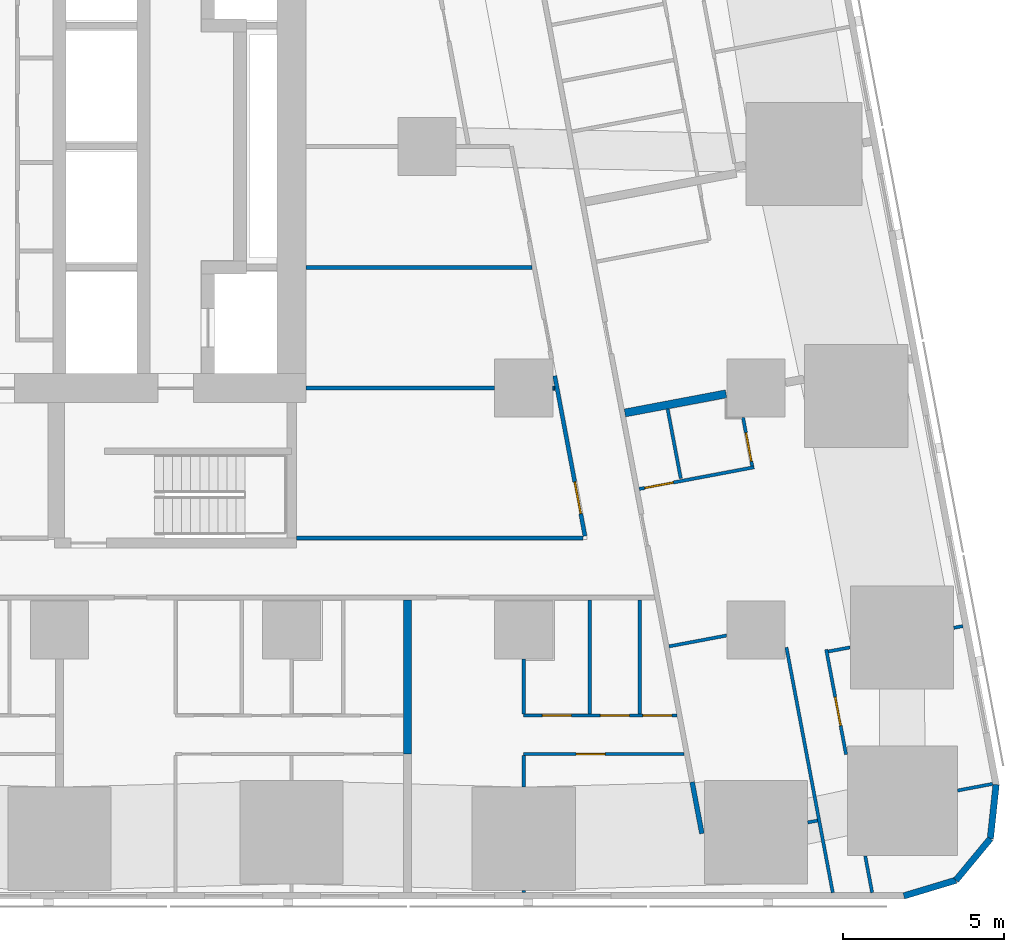
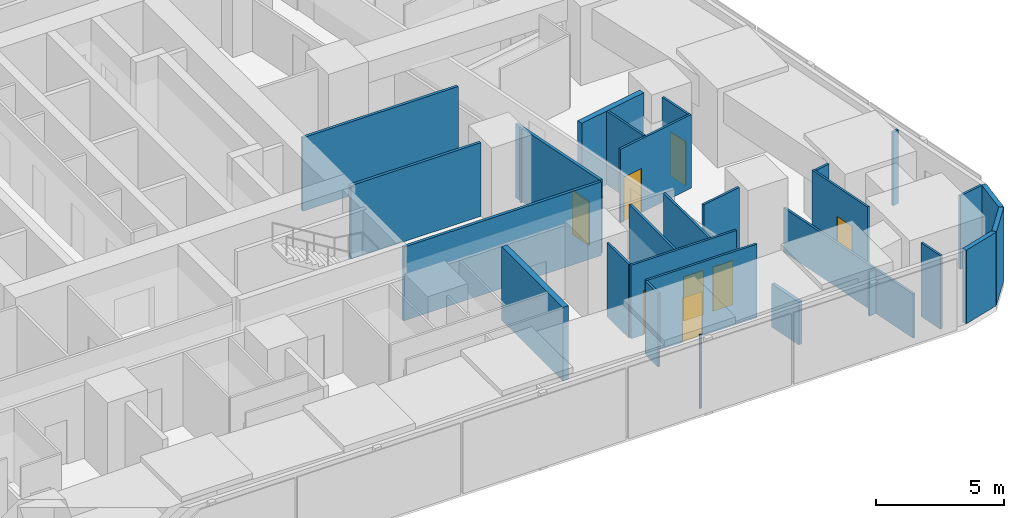
# One storey, part 8 of 17: 29 walls, 8 doors, 8 openings.
"""IFC4 building model written with IfcOpenShell, lengths in metres."""

from ifc_helpers import new_model, si_unit, direction, frame, frame_2d, origin, place, context, subcontext, project, spatial, rectangle, extrude, material, layer, layer_set, type_object, element, fill, save


model = new_model("IFC4")

# Units and contexts
model_context = context("Model", 3, precision=1e-05, world=origin(), true_north=direction((0.0, 1.0)))
body_context = subcontext(model_context, "Body", "Model", "MODEL_VIEW")
ifc_project = project(units=[si_unit("LENGTHUNIT", "METRE"), si_unit("AREAUNIT", "SQUARE_METRE"), si_unit("VOLUMEUNIT", "CUBIC_METRE"), si_unit("PLANEANGLEUNIT", "RADIAN"), si_unit("MASSUNIT", "GRAM", prefix="KILO")], contexts=[model_context])

# Site, building, storey
site_placement = place(None, origin())
site = spatial("IfcSite", under=ifc_project, at=site_placement, CompositionType="ELEMENT")
building_placement = place(site_placement, origin())
building = spatial("IfcBuilding", under=site, at=building_placement, Name="Sheger Commons Tower", CompositionType="ELEMENT")
storey_placement = place(building_placement, frame((0.0, 0.0, 23.75)))
storey = spatial("IfcBuildingStorey", under=building, at=storey_placement, Name="L05", CompositionType="ELEMENT", Elevation=23.75)

# Walls
ifc_material_1 = material(Name="Hollow concrete block masonry, skimmed both sides", Category="masonry")
ifc_layer_1 = layer(ifc_material_1, 0.14990234375)
ifc_layer_set_1 = layer_set([ifc_layer_1], Name="CORRIDOR WALL 150")
wall_type_1 = type_object("IfcWallType", Name="CORRIDOR WALL 150", PredefinedType="SOLIDWALL", material=ifc_layer_set_1)
wall_1_placement = place(storey_placement, frame((41.22412109375, 2.782958984375, 0.0), z_axis=(0.0, 0.0, 1.0), x_axis=(0.185566507215, -0.982631706897, 0.0)))
element("IfcWall", 1, at=wall_1_placement, inside=storey, type_object=wall_type_1, Name="Corridor wall L05", PredefinedType="SOLIDWALL", context=body_context, shape_type="SweptSolid", body=[
    extrude(rectangle(XDim=1.626220703125, YDim=0.14990234375, at=frame_2d((0.81298828125, 0.0))), origin(), (0.0, 0.0, 1.0), 2.050048828125),
])
ifc_material_2 = material(Name="Dense concrete block masonry, plastered both sides (separating wall between flats)", Category="masonry")
ifc_layer_2 = layer(ifc_material_2, 0.25)
ifc_layer_set_2 = layer_set([ifc_layer_2], Name="DEMISING WALL 250")
wall_type_2 = type_object("IfcWallType", Name="DEMISING WALL 250", PredefinedType="SOLIDWALL", material=ifc_layer_set_2)
wall_2_placement = place(storey_placement, frame((32.39990234375, 3.64990234375, 0.0), z_axis=(0.0, 0.0, 1.0), x_axis=(0.0, 1.0, 0.0)))
element("IfcWall", 2, at=wall_2_placement, inside=storey, type_object=wall_type_2, Name="Demising wall L05", PredefinedType="SOLIDWALL", context=body_context, shape_type="SweptSolid", body=[
    extrude(rectangle(XDim=4.775146484375, YDim=0.25, at=frame_2d((2.3876953125, 0.0))), origin(), (0.0, 0.0, 1.0), 3.5),
])
wall_3_placement = place(storey_placement, frame((42.27587890625, 14.824951171875, 0.0), z_axis=(0.0, 0.0, 1.0), x_axis=(-0.982607211054, -0.185696173318, 0.0)))
element("IfcWall", 3, at=wall_3_placement, inside=storey, type_object=wall_type_2, Name="Demising wall L05", PredefinedType="SOLIDWALL", context=body_context, shape_type="SweptSolid", body=[
    extrude(rectangle(XDim=3.193603515625, YDim=0.25, at=frame_2d((1.5966796875, 0.0))), origin(), (0.0, 0.0, 1.0), 3.5),
])
ifc_material_3 = material(Name="Rendered concrete block masonry, dark grey", Category="masonry")
ifc_layer_3 = layer(ifc_material_3, 0.199951171875)
ifc_layer_set_3 = layer_set([ifc_layer_3], Name="FACADE WALL 200")
wall_type_3 = type_object("IfcWallType", Name="FACADE WALL 200", PredefinedType="SOLIDWALL", material=ifc_layer_set_3)
wall_4_placement = place(storey_placement, frame((47.791015625, -0.75, 0.0), z_axis=(0.0, 0.0, 1.0), x_axis=(0.957455232626, 0.288581838509, 0.0)))
element("IfcWall", 4, at=wall_4_placement, inside=storey, type_object=wall_type_3, Name="Facade wall L05", PredefinedType="SOLIDWALL", context=body_context, shape_type="SweptSolid", body=[
    extrude(rectangle(XDim=1.687744140625, YDim=0.199951171875, at=frame_2d((0.84375, 0.0))), origin(), (0.0, 0.0, 1.0), 3.5),
])
wall_5_placement = place(storey_placement, frame((49.406982421875, -0.262939453125, 0.0), z_axis=(0.0, 0.0, 1.0), x_axis=(0.638042593423, 0.770001070764, 0.0)))
element("IfcWall", 5, at=wall_5_placement, inside=storey, type_object=wall_type_3, Name="Facade wall L05", PredefinedType="SOLIDWALL", context=body_context, shape_type="SweptSolid", body=[
    extrude(rectangle(XDim=1.672607421875, YDim=0.199951171875, at=frame_2d((0.83642578125, 0.0))), origin(), (0.0, 0.0, 1.0), 3.5),
])
wall_6_placement = place(storey_placement, frame((50.47412109375, 1.02490234375, 0.0), z_axis=(0.0, 0.0, 1.0), x_axis=(0.106047815515, 0.994361031429, 0.0)))
element("IfcWall", 6, at=wall_6_placement, inside=storey, type_object=wall_type_3, Name="Facade wall L05", PredefinedType="SOLIDWALL", context=body_context, shape_type="SweptSolid", body=[
    extrude(rectangle(XDim=1.6875, YDim=0.199951171875, at=frame_2d((0.84375, 0.0))), origin(), (0.0, 0.0, 1.0), 3.5),
])

# Wall, opening, door
ifc_material_4 = material(Name="Gypsum board on steel studs", Category="steel")
ifc_layer_4 = layer(ifc_material_4, 0.10009765625)
ifc_layer_set_4 = layer_set([ifc_layer_4], Name="PARTITION 100")
wall_type_4 = type_object("IfcWallType", Name="PARTITION 100", PredefinedType="PARTITIONING", material=ifc_layer_set_4)
wall_7_placement = place(storey_placement, frame((40.97509765625, 3.64990234375, 0.0), z_axis=(0.0, 0.0, 1.0), x_axis=(-1.0, 0.0, 0.0)))
wall_7 = element("IfcWall", 7, at=wall_7_placement, inside=storey, type_object=wall_type_4, Name="Partition L05", PredefinedType="PARTITIONING", context=body_context, shape_type="SweptSolid", body=[
    extrude(rectangle(XDim=4.97509765625, YDim=0.10009765625, at=frame_2d((2.487548828125, 0.0))), origin(), (0.0, 0.0, 1.0), 3.5),
])
opening_1_placement = place(wall_7_placement, frame((2.449951171875, 0.0, 0.0)))
opening_1 = element("IfcOpeningElement", 8, at=opening_1_placement, cuts=wall_7, Name="Opening D2", PredefinedType="OPENING", context=body_context, shape_type="SweptSolid", body=[
    extrude(rectangle(XDim=0.89990234375, YDim=2.10009765625, at=frame_2d((0.449951171875, 1.050048828125))), frame((0.0, 0.06005859375, 0.0), z_axis=(0.0, -1.0, 0.0), x_axis=(1.0, 0.0, 0.0)), (0.0, 0.0, 1.0), 0.1201171875),
])
ifc_material_5 = material(Name="Timber door set", Category="wood")
door_type_1 = type_object("IfcDoorType", Name="INTERNAL DOOR 900x2100", OperationType="NOTDEFINED", PredefinedType="DOOR", material=ifc_material_5)
door_1_placement = place(opening_1_placement, origin())
door_1 = element("IfcDoor", 9, at=door_1_placement, inside=storey, type_object=door_type_1, Name="Main bedroom door", OperationType="SINGLE_SWING_RIGHT", OverallHeight=2.10009765625, OverallWidth=0.89990234375, PredefinedType="DOOR", context=body_context, shape_type="SweptSolid", body=[
    extrude(rectangle(XDim=0.89990234375, YDim=2.10009765625, at=frame_2d((0.449951171875, 1.050048828125))), frame((0.0, 0.02490234375, 0.0), z_axis=(0.0, -1.0, 0.0), x_axis=(1.0, 0.0, 0.0)), (0.0, 0.0, 1.0), 0.050048828125),
])
fill(opening_1, door_1)

# Wall, openings, doors
wall_8_placement = place(storey_placement, frame((40.748046875, 4.85009765625, 0.0), z_axis=(0.0, 0.0, 1.0), x_axis=(-1.0, 0.0, 0.0)))
wall_8 = element("IfcWall", 10, at=wall_8_placement, inside=storey, type_object=wall_type_4, Name="Partition L05", PredefinedType="PARTITIONING", context=body_context, shape_type="SweptSolid", body=[
    extrude(rectangle(XDim=4.748046875, YDim=0.10009765625, at=frame_2d((2.3740234375, 0.0))), origin(), (0.0, 0.0, 1.0), 3.5),
])
opening_2_placement = place(wall_8_placement, frame((3.27294921875, 0.0, 0.0)))
opening_2 = element("IfcOpeningElement", 11, at=opening_2_placement, cuts=wall_8, Name="Opening D2", PredefinedType="OPENING", context=body_context, shape_type="SweptSolid", body=[
    extrude(rectangle(XDim=0.89990234375, YDim=2.10009765625, at=frame_2d((0.449951171875, 1.050048828125))), frame((0.0, 0.06005859375, 0.0), z_axis=(0.0, -1.0, 0.0), x_axis=(1.0, 0.0, 0.0)), (0.0, 0.0, 1.0), 0.1201171875),
])
opening_3_placement = place(wall_8_placement, frame((0.14990234375, 0.0, 0.0)))
opening_3 = element("IfcOpeningElement", 12, at=opening_3_placement, cuts=wall_8, Name="Opening D2", PredefinedType="OPENING", context=body_context, shape_type="SweptSolid", body=[
    extrude(rectangle(XDim=0.89990234375, YDim=2.10009765625, at=frame_2d((0.449951171875, 1.050048828125))), frame((0.0, 0.06005859375, 0.0), z_axis=(0.0, -1.0, 0.0), x_axis=(1.0, 0.0, 0.0)), (0.0, 0.0, 1.0), 0.1201171875),
])
opening_4_placement = place(wall_8_placement, frame((1.472900390625, 0.0, 0.0)))
opening_4 = element("IfcOpeningElement", 13, at=opening_4_placement, cuts=wall_8, Name="Opening D2", PredefinedType="OPENING", context=body_context, shape_type="SweptSolid", body=[
    extrude(rectangle(XDim=0.89990234375, YDim=2.10009765625, at=frame_2d((0.449951171875, 1.050048828125))), frame((0.0, 0.06005859375, 0.0), z_axis=(0.0, -1.0, 0.0), x_axis=(1.0, 0.0, 0.0)), (0.0, 0.0, 1.0), 0.1201171875),
])
door_2_placement = place(opening_2_placement, origin())
door_2 = element("IfcDoor", 14, at=door_2_placement, inside=storey, type_object=door_type_1, Name="Bathroom door", OperationType="SINGLE_SWING_LEFT", OverallHeight=2.10009765625, OverallWidth=0.89990234375, PredefinedType="DOOR", context=body_context, shape_type="SweptSolid", body=[
    extrude(rectangle(XDim=0.89990234375, YDim=2.10009765625, at=frame_2d((0.449951171875, 1.050048828125))), frame((0.0, 0.02490234375, 0.0), z_axis=(0.0, -1.0, 0.0), x_axis=(1.0, 0.0, 0.0)), (0.0, 0.0, 1.0), 0.050048828125),
])
fill(opening_2, door_2)
door_3_placement = place(opening_3_placement, origin())
door_3 = element("IfcDoor", 15, at=door_3_placement, inside=storey, type_object=door_type_1, Name="Laundry room door", OperationType="SINGLE_SWING_RIGHT", OverallHeight=2.10009765625, OverallWidth=0.89990234375, PredefinedType="DOOR", context=body_context, shape_type="SweptSolid", body=[
    extrude(rectangle(XDim=0.89990234375, YDim=2.10009765625, at=frame_2d((0.449951171875, 1.050048828125))), frame((0.0, 0.02490234375, 0.0), z_axis=(0.0, -1.0, 0.0), x_axis=(1.0, 0.0, 0.0)), (0.0, 0.0, 1.0), 0.050048828125),
])
fill(opening_3, door_3)
door_4_placement = place(opening_4_placement, origin())
door_4 = element("IfcDoor", 16, at=door_4_placement, inside=storey, type_object=door_type_1, Name="Store door", OperationType="SINGLE_SWING_RIGHT", OverallHeight=2.10009765625, OverallWidth=0.89990234375, PredefinedType="DOOR", context=body_context, shape_type="SweptSolid", body=[
    extrude(rectangle(XDim=0.89990234375, YDim=2.10009765625, at=frame_2d((0.449951171875, 1.050048828125))), frame((0.0, 0.02490234375, 0.0), z_axis=(0.0, -1.0, 0.0), x_axis=(1.0, 0.0, 0.0)), (0.0, 0.0, 1.0), 0.050048828125),
])
fill(opening_4, door_4)

# Walls
wall_9_placement = place(storey_placement, frame((36.0, -0.64990234375, 0.0), z_axis=(0.0, 0.0, 1.0), x_axis=(0.0, 1.0, 0.0)))
element("IfcWall", 17, at=wall_9_placement, inside=storey, type_object=wall_type_4, Name="Partition L05", PredefinedType="PARTITIONING", context=body_context, shape_type="SweptSolid", body=[
    extrude(rectangle(XDim=0.073974609375, YDim=0.10009765625, at=frame_2d((0.037109375, 0.0))), origin(), (0.0, 0.0, 1.0), 3.5),
])
wall_10_placement = place(storey_placement, frame((36.0, 2.6259765625, 0.0), z_axis=(0.0, 0.0, 1.0), x_axis=(0.0, 1.0, 0.0)))
element("IfcWall", 18, at=wall_10_placement, inside=storey, type_object=wall_type_4, Name="Partition L05", PredefinedType="PARTITIONING", context=body_context, shape_type="SweptSolid", body=[
    extrude(rectangle(XDim=0.97412109375, YDim=0.10009765625, at=frame_2d((0.487060546875, 0.0))), origin(), (0.0, 0.0, 1.0), 3.5),
])
wall_11_placement = place(storey_placement, frame((36.0, 4.89990234375, 0.0), z_axis=(0.0, 0.0, 1.0), x_axis=(0.0, 1.0, 0.0)))
element("IfcWall", 19, at=wall_11_placement, inside=storey, type_object=wall_type_4, Name="Partition L05", PredefinedType="PARTITIONING", context=body_context, shape_type="SweptSolid", body=[
    extrude(rectangle(XDim=1.69921875, YDim=0.10009765625, at=frame_2d((0.849609375, 0.0))), origin(), (0.0, 0.0, 1.0), 3.5),
])
for number, where, z_axis, x_axis, name in (
    (20, (39.60009765625, 4.89990234375, 0.0), (0.0, 0.0, 1.0), (0.0, 1.0, 0.0), "Partition L05"),
    (21, (38.050048828125, 4.89990234375, 0.0), (0.0, 0.0, 1.0), (0.0, 1.0, 0.0), "Partition L05"),
):
    element("IfcWall", number, at=place(storey_placement, frame(where, z_axis=z_axis, x_axis=x_axis)), inside=storey, type_object=wall_type_4, Name=name, PredefinedType="PARTITIONING", context=body_context, shape_type="SweptSolid", body=[
        extrude(rectangle(XDim=3.525146484375, YDim=0.10009765625, at=frame_2d((1.7626953125, 0.0))), origin(), (0.0, 0.0, 1.0), 3.5),
    ])

# Wall, opening, door
wall_12_placement = place(storey_placement, frame((42.802978515625, 14.090087890625, 0.0), z_axis=(0.0, 0.0, 1.0), x_axis=(0.185608486942, -0.982623778246, 0.0)))
wall_12 = element("IfcWall", 22, at=wall_12_placement, inside=storey, type_object=wall_type_4, Name="Partition L05", PredefinedType="PARTITIONING", context=body_context, shape_type="SweptSolid", body=[
    extrude(rectangle(XDim=1.52978515625, YDim=0.10009765625, at=frame_2d((0.764892578125, 0.0))), origin(), (0.0, 0.0, 1.0), 3.5),
])
opening_5_placement = place(wall_12_placement, frame((0.47998046875, 0.0, 0.0)))
opening_5 = element("IfcOpeningElement", 23, at=opening_5_placement, cuts=wall_12, Name="Opening D2", PredefinedType="OPENING", context=body_context, shape_type="SweptSolid", body=[
    extrude(rectangle(XDim=0.89990234375, YDim=2.10009765625, at=frame_2d((0.449951171875, 1.050048828125))), frame((0.0, 0.06005859375, 0.0), z_axis=(0.0, -1.0, 0.0), x_axis=(1.0, 0.0, 0.0)), (0.0, 0.0, 1.0), 0.1201171875),
])
door_5_placement = place(opening_5_placement, origin())
door_5 = element("IfcDoor", 24, at=door_5_placement, inside=storey, type_object=door_type_1, Name="Shower room door", OperationType="SINGLE_SWING_LEFT", OverallHeight=2.10009765625, OverallWidth=0.89990234375, PredefinedType="DOOR", context=body_context, shape_type="SweptSolid", body=[
    extrude(rectangle(XDim=0.89990234375, YDim=2.10009765625, at=frame_2d((0.449951171875, 1.050048828125))), frame((0.0, 0.02490234375, 0.0), z_axis=(0.0, -1.0, 0.0), x_axis=(1.0, 0.0, 0.0)), (0.0, 0.0, 1.0), 0.050048828125),
])
fill(opening_5, door_5)

wall_13_placement = place(storey_placement, frame((43.14501953125, 12.547119140625, 0.0), z_axis=(0.0, 0.0, 1.0), x_axis=(-0.982610451136, -0.185679027675, 0.0)))
wall_13 = element("IfcWall", 25, at=wall_13_placement, inside=storey, type_object=wall_type_4, Name="Partition L05", PredefinedType="PARTITIONING", context=body_context, shape_type="SweptSolid", body=[
    extrude(rectangle(XDim=3.625, YDim=0.10009765625, at=frame_2d((1.8125, 0.0))), origin(), (0.0, 0.0, 1.0), 3.5),
])
opening_6_placement = place(wall_13_placement, frame((2.550048828125, 0.0, 0.0)))
opening_6 = element("IfcOpeningElement", 26, at=opening_6_placement, cuts=wall_13, Name="Opening D2", PredefinedType="OPENING", context=body_context, shape_type="SweptSolid", body=[
    extrude(rectangle(XDim=0.89990234375, YDim=2.10009765625, at=frame_2d((0.449951171875, 1.050048828125))), frame((0.0, 0.06005859375, 0.0), z_axis=(0.0, -1.0, 0.0), x_axis=(1.0, 0.0, 0.0)), (0.0, 0.0, 1.0), 0.1201171875),
])
door_6_placement = place(opening_6_placement, origin())
door_6 = element("IfcDoor", 27, at=door_6_placement, inside=storey, type_object=door_type_1, Name="Store door", OperationType="SINGLE_SWING_LEFT", OverallHeight=2.10009765625, OverallWidth=0.89990234375, PredefinedType="DOOR", context=body_context, shape_type="SweptSolid", body=[
    extrude(rectangle(XDim=0.89990234375, YDim=2.10009765625, at=frame_2d((0.449951171875, 1.050048828125))), frame((0.0, 0.02490234375, 0.0), z_axis=(0.0, -1.0, 0.0), x_axis=(1.0, 0.0, 0.0)), (0.0, 0.0, 1.0), 0.050048828125),
])
fill(opening_6, door_6)

# Wall
wall_14_placement = place(storey_placement, frame((40.462890625, 14.35498046875, 0.0), z_axis=(0.0, 0.0, 1.0), x_axis=(0.185760900029, -0.98259497659, 0.0)))
element("IfcWall", 28, at=wall_14_placement, inside=storey, type_object=wall_type_4, Name="Partition L05", PredefinedType="PARTITIONING", context=body_context, shape_type="SweptSolid", body=[
    extrude(rectangle(XDim=2.192138671875, YDim=0.10009765625, at=frame_2d((1.09619140625, 0.0))), origin(), (0.0, 0.0, 1.0), 3.5),
])

# Wall, opening, door
wall_15_placement = place(storey_placement, frame((45.383056640625, 6.89404296875, 0.0), z_axis=(0.0, 0.0, 1.0), x_axis=(0.185714962489, -0.982603660032, 0.0)))
wall_15 = element("IfcWall", 29, at=wall_15_placement, inside=storey, type_object=wall_type_4, Name="Partition L05", PredefinedType="PARTITIONING", context=body_context, shape_type="SweptSolid", body=[
    extrude(rectangle(XDim=3.316650390625, YDim=0.10009765625, at=frame_2d((1.658203125, 0.0))), origin(), (0.0, 0.0, 1.0), 3.5),
])
opening_7_placement = place(wall_15_placement, frame((1.5, 0.0, 0.0)))
opening_7 = element("IfcOpeningElement", 30, at=opening_7_placement, cuts=wall_15, Name="Opening D2", PredefinedType="OPENING", context=body_context, shape_type="SweptSolid", body=[
    extrude(rectangle(XDim=0.89990234375, YDim=2.10009765625, at=frame_2d((0.449951171875, 1.050048828125))), frame((0.0, 0.06005859375, 0.0), z_axis=(0.0, -1.0, 0.0), x_axis=(1.0, 0.0, 0.0)), (0.0, 0.0, 1.0), 0.1201171875),
])
door_7_placement = place(opening_7_placement, origin())
door_7 = element("IfcDoor", 31, at=door_7_placement, inside=storey, type_object=door_type_1, Name="Main bedroom door", OperationType="SINGLE_SWING_RIGHT", OverallHeight=2.10009765625, OverallWidth=0.89990234375, PredefinedType="DOOR", context=body_context, shape_type="SweptSolid", body=[
    extrude(rectangle(XDim=0.89990234375, YDim=2.10009765625, at=frame_2d((0.449951171875, 1.050048828125))), frame((0.0, 0.02490234375, 0.0), z_axis=(0.0, -1.0, 0.0), x_axis=(1.0, 0.0, 0.0)), (0.0, 0.0, 1.0), 0.050048828125),
])
fill(opening_7, door_7)

# Walls
wall_16_placement = place(storey_placement, frame((46.593017578125, 0.487060546875, 0.0), z_axis=(0.0, 0.0, 1.0), x_axis=(0.185880657422, -0.982572328735, 0.0)))
element("IfcWall", 32, at=wall_16_placement, inside=storey, type_object=wall_type_4, Name="Partition L05", PredefinedType="PARTITIONING", context=body_context, shape_type="SweptSolid", body=[
    extrude(rectangle(XDim=1.1572265625, YDim=0.10009765625, at=frame_2d((0.57861328125, 0.0))), origin(), (0.0, 0.0, 1.0), 3.5),
])
wall_17_placement = place(storey_placement, frame((44.14892578125, 6.9599609375, 0.0), z_axis=(0.0, 0.0, 1.0), x_axis=(0.185677796828, -0.982610683722, 0.0)))
element("IfcWall", 33, at=wall_17_placement, inside=storey, type_object=wall_type_4, Name="Partition L05", PredefinedType="PARTITIONING", context=body_context, shape_type="SweptSolid", body=[
    extrude(rectangle(XDim=7.74462890625, YDim=0.10009765625, at=frame_2d((3.872314453125, 0.0))), origin(), (0.0, 0.0, 1.0), 2.10009765625),
])
wall_18_placement = place(storey_placement, frame((49.6220703125, 7.6201171875, 0.0), z_axis=(0.0, 0.0, 1.0), x_axis=(-0.982649953213, -0.185469861299, 0.0)))
element("IfcWall", 34, at=wall_18_placement, inside=storey, type_object=wall_type_4, Name="Partition L05", PredefinedType="PARTITIONING", context=body_context, shape_type="SweptSolid", body=[
    extrude(rectangle(XDim=0.286865234375, YDim=0.10009765625, at=frame_2d((0.1435546875, 0.0))), origin(), (0.0, 0.0, 1.0), 3.5),
])
wall_19_placement = place(storey_placement, frame((46.1201171875, 6.958984375, 0.0), z_axis=(0.0, 0.0, 1.0), x_axis=(-0.982722777639, -0.185083608972, 0.0)))
element("IfcWall", 35, at=wall_19_placement, inside=storey, type_object=wall_type_4, Name="Partition L05", PredefinedType="PARTITIONING", context=body_context, shape_type="SweptSolid", body=[
    extrude(rectangle(XDim=0.68603515625, YDim=0.10009765625, at=frame_2d((0.343017578125, 0.0))), origin(), (0.0, 0.0, 1.0), 3.5),
])
wall_20_placement = place(storey_placement, frame((50.547119140625, 2.72607421875, 0.0), z_axis=(0.0, 0.0, 1.0), x_axis=(-0.982569158372, -0.185897415303, 0.0)))
element("IfcWall", 36, at=wall_20_placement, inside=storey, type_object=wall_type_4, Name="Partition L05", PredefinedType="PARTITIONING", context=body_context, shape_type="SweptSolid", body=[
    extrude(rectangle(XDim=1.1083984375, YDim=0.10009765625, at=frame_2d((0.55419921875, 0.0))), origin(), (0.0, 0.0, 1.0), 3.5),
])
wall_21_placement = place(storey_placement, frame((42.2900390625, 7.327880859375, 0.0), z_axis=(0.0, 0.0, 1.0), x_axis=(-0.98262927905, -0.185579362952, 0.0)))
element("IfcWall", 37, at=wall_21_placement, inside=storey, type_object=wall_type_4, Name="Partition L05", PredefinedType="PARTITIONING", context=body_context, shape_type="SweptSolid", body=[
    extrude(rectangle(XDim=1.8154296875, YDim=0.10009765625, at=frame_2d((0.90771484375, 0.0))), origin(), (0.0, 0.0, 1.0), 3.5),
])
wall_22_placement = place(storey_placement, frame((45.114013671875, 1.5869140625, 0.0), z_axis=(0.0, 0.0, 1.0), x_axis=(-0.982934694903, -0.183954846516, 0.0)))
element("IfcWall", 38, at=wall_22_placement, inside=storey, type_object=wall_type_4, Name="Partition L05", PredefinedType="PARTITIONING", context=body_context, shape_type="SweptSolid", body=[
    extrude(rectangle(XDim=0.309326171875, YDim=0.10009765625, at=frame_2d((0.15478515625, 0.0))), origin(), (0.0, 0.0, 1.0), 2.10009765625),
])
ifc_material_6 = material(Name="Gypsum board on steel studs, two layers each side, fire rated", Category="steel")
ifc_layer_5 = layer(ifc_material_6, 0.125)
ifc_layer_set_5 = layer_set([ifc_layer_5], Name="SERVICE WALL 125")
wall_type_5 = type_object("IfcWallType", Name="SERVICE WALL 125", PredefinedType="PARTITIONING", material=ifc_layer_set_5)
wall_23_placement = place(storey_placement, frame((28.949951171875, 10.35009765625, 0.0), z_axis=(0.0, 0.0, 1.0), x_axis=(1.0, 0.0, 0.0)))
element("IfcWall", 39, at=wall_23_placement, inside=storey, type_object=wall_type_5, Name="Service room wall L05", PredefinedType="PARTITIONING", context=body_context, shape_type="SweptSolid", body=[
    extrude(rectangle(XDim=8.885986328125, YDim=0.125, at=frame_2d((4.44287109375, 0.0))), origin(), (0.0, 0.0, 1.0), 3.5),
])

# Wall, opening, door
wall_24_placement = place(storey_placement, frame((37.89990234375, 10.4130859375, 0.0), z_axis=(0.0, 0.0, 1.0), x_axis=(-0.185527510388, 0.982639070508, 0.0)))
wall_24 = element("IfcWall", 40, at=wall_24_placement, inside=storey, type_object=wall_type_5, Name="Service room wall L05", PredefinedType="PARTITIONING", context=body_context, shape_type="SweptSolid", body=[
    extrude(rectangle(XDim=5.055908203125, YDim=0.125, at=frame_2d((2.52783203125, 0.0))), origin(), (0.0, 0.0, 1.0), 3.5),
])
opening_8_placement = place(wall_24_placement, frame((0.7080078125, 0.0, 0.0)))
opening_8 = element("IfcOpeningElement", 41, at=opening_8_placement, cuts=wall_24, Name="Opening D4", PredefinedType="OPENING", context=body_context, shape_type="SweptSolid", body=[
    extrude(rectangle(XDim=1.0, YDim=2.10009765625, at=frame_2d((0.5, 1.050048828125))), frame((0.0, 0.072509765625, 0.0), z_axis=(0.0, -1.0, 0.0), x_axis=(1.0, 0.0, 0.0)), (0.0, 0.0, 1.0), 0.14501953125),
])
ifc_material_7 = material(Name="Steel door set, fire rated", Category="steel")
door_type_2 = type_object("IfcDoorType", Name="SERVICE DOOR 1000x2100", OperationType="NOTDEFINED", PredefinedType="DOOR", material=ifc_material_7)
door_8_placement = place(opening_8_placement, origin())
door_8 = element("IfcDoor", 42, at=door_8_placement, inside=storey, type_object=door_type_2, Name="Residents' study room door", OperationType="SINGLE_SWING_LEFT", OverallHeight=2.10009765625, OverallWidth=1.0, PredefinedType="DOOR", context=body_context, shape_type="SweptSolid", body=[
    extrude(rectangle(XDim=1.0, YDim=2.10009765625, at=frame_2d((0.5, 1.050048828125))), frame((0.0, 0.02490234375, 0.0), z_axis=(0.0, -1.0, 0.0), x_axis=(1.0, 0.0, 0.0)), (0.0, 0.0, 1.0), 0.050048828125),
])
fill(opening_8, door_8)

# Walls
wall_25_placement = place(storey_placement, frame((29.25, 15.0, 0.0), z_axis=(0.0, 0.0, 1.0), x_axis=(1.0, 0.0, 0.0)))
element("IfcWall", 43, at=wall_25_placement, inside=storey, type_object=wall_type_5, Name="Service room wall L05", PredefinedType="PARTITIONING", context=body_context, shape_type="SweptSolid", body=[
    extrude(rectangle(XDim=5.84912109375, YDim=0.125, at=frame_2d((2.924560546875, 0.0))), origin(), (0.0, 0.0, 1.0), 3.5),
])
wall_26_placement = place(storey_placement, frame((36.90087890625, 15.0, 0.0), z_axis=(0.0, 0.0, 1.0), x_axis=(1.0, 0.0, 0.0)))
element("IfcWall", 44, at=wall_26_placement, inside=storey, type_object=wall_type_5, Name="Service room wall L05", PredefinedType="PARTITIONING", context=body_context, shape_type="SweptSolid", body=[
    extrude(rectangle(XDim=0.05712890625, YDim=0.125, at=frame_2d((0.028564453125, 0.0))), origin(), (0.0, 0.0, 1.0), 3.5),
])
wall_27_placement = place(storey_placement, frame((29.25, 18.75, 0.0), z_axis=(0.0, 0.0, 1.0), x_axis=(1.0, 0.0, 0.0)))
element("IfcWall", 45, at=wall_27_placement, inside=storey, type_object=wall_type_5, Name="Service room wall L05", PredefinedType="PARTITIONING", context=body_context, shape_type="SweptSolid", body=[
    extrude(rectangle(XDim=7.0, YDim=0.125, at=frame_2d((3.5, 0.0))), origin(), (0.0, 0.0, 1.0), 3.5),
])

save(model, "model.ifc")
